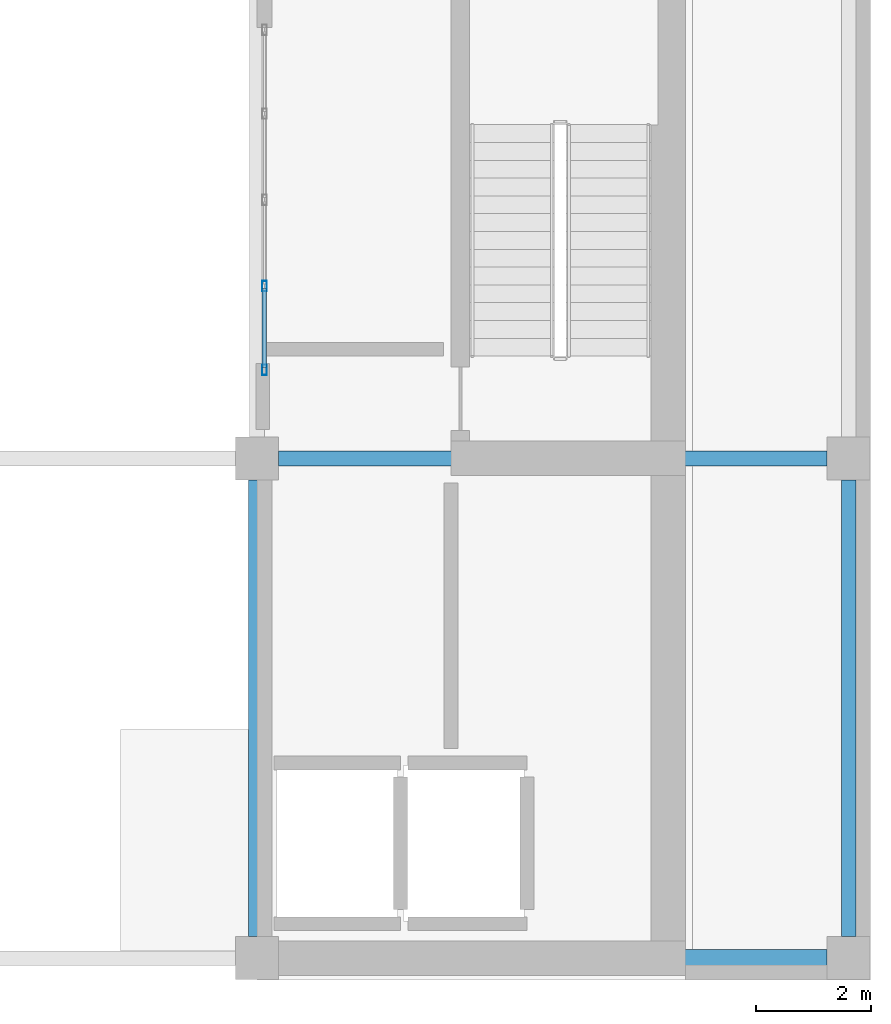
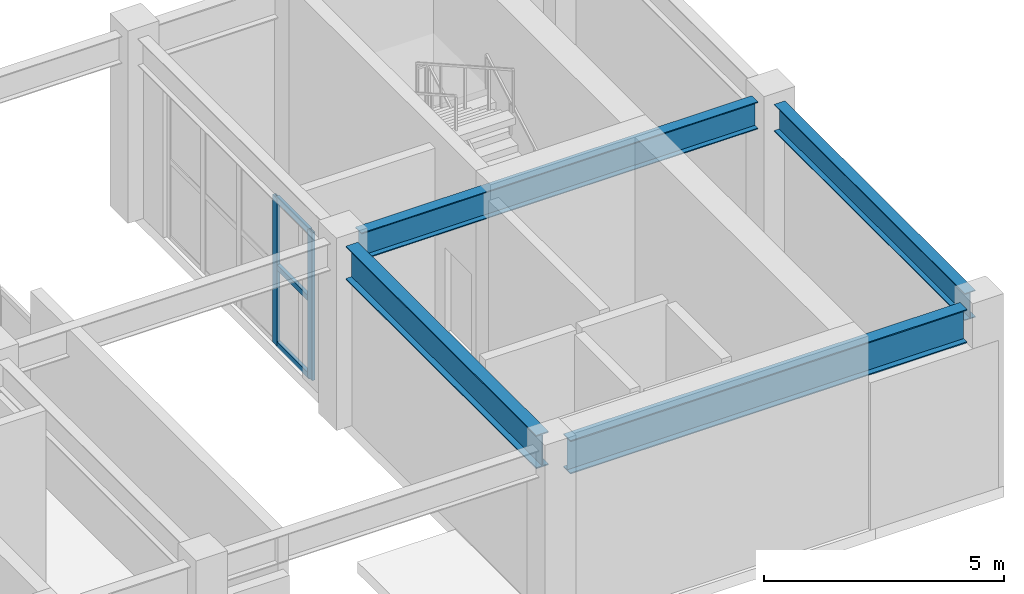
# One storey, part 5 of 11: 5 members, 4 beams, 1 element without a shape of its own.
"""IFC4 building model written with IfcOpenShell, lengths in metres."""

from ifc_helpers import new_model, si_unit, direction, frame, origin, origin_2d, place, context, subcontext, project, spatial, hollow_rectangle, i_section, extrude, material, layer, layer_set, material_profile, profile_set, type_object, element, aggregate, save


model = new_model("IFC4")

# Units and contexts
model_context = context("Model", 3, precision=1e-05, world=origin(), true_north=direction((0.0, 1.0)))
body_context = subcontext(model_context, "Body", "Model", "MODEL_VIEW")
ifc_project = project(units=[si_unit("LENGTHUNIT", "METRE"), si_unit("AREAUNIT", "SQUARE_METRE"), si_unit("VOLUMEUNIT", "CUBIC_METRE"), si_unit("PLANEANGLEUNIT", "RADIAN"), si_unit("MASSUNIT", "GRAM", prefix="KILO")], contexts=[model_context])

# Site, building, storey
site_placement = place(None, origin())
site = spatial("IfcSite", under=ifc_project, at=site_placement, CompositionType="ELEMENT")
building_placement = place(site_placement, origin())
building = spatial("IfcBuilding", under=site, at=building_placement, Name="Solanera Arch Residences", CompositionType="ELEMENT")
storey_placement = place(building_placement, frame((0.0, 0.0, 282.97998046875)))
storey = spatial("IfcBuildingStorey", under=building, at=storey_placement, Name="L81", CompositionType="ELEMENT", Elevation=282.97998046875)

# Curtain wall, members
ifc_material_1 = material(Name="Anodised Aluminium Alloy 6063-T6", Category="aluminium")
ifc_layer = layer(ifc_material_1, 0.179931640625)
ifc_layer_set = layer_set([ifc_layer], Name="Anodised Aluminium Alloy 6063-T6")
curtain_wall_type = type_object("IfcCurtainWallType", Name="CW-6 Split-Top Crown Lantern Curtain Wall", PredefinedType="USERDEFINED", material=ifc_layer_set)
curtain_wall_placement = place(storey_placement, origin())
curtain_wall = element("IfcCurtainWall", 1, at=curtain_wall_placement, inside=storey, type_object=curtain_wall_type, Name="L81 E Crown Cleft Lantern Curtain Wall", ObjectType="CURTAIN_WALL", PredefinedType="USERDEFINED")
ifc_material_2 = material(Name="Anodised Aluminium Alloy 6063-T6", Category="aluminium")
ifc_material_profile_1 = material_profile(ifc_material_2, hollow_rectangle(XDim=0.080078125, YDim=0.179931640625, WallThickness=0.00390625, at=origin_2d()))
ifc_profile_set_1 = profile_set([ifc_material_profile_1], Name="Anodised Aluminium Alloy 6063-T6")
member_type_1 = type_object("IfcMemberType", Name="Curtain Wall Mullion ALU-MUL-80X180", PredefinedType="MULLION", material=ifc_profile_set_1)
member_1_placement = place(storey_placement, frame((29.330078125, 32.239990234375, 0.0), z_axis=(0.0, 0.0, 1.0), x_axis=(-1.0, 0.0, 0.0)))
member_1 = element("IfcMember", 2, at=member_1_placement, type_object=member_type_1, Name="CW-6 mullion 1", PredefinedType="MULLION", context=body_context, shape_type="SweptSolid", body=[
    extrude(hollow_rectangle(XDim=0.080078125, YDim=0.179931640625, WallThickness=0.00390625, at=origin_2d()), origin(), (0.0, 0.0, 1.0), 3.760009765625),
])
member_2_placement = place(storey_placement, frame((29.330078125, 33.699951171875, 0.0), z_axis=(0.0, 0.0, 1.0), x_axis=(-1.0, 0.0, 0.0)))
member_2 = element("IfcMember", 3, at=member_2_placement, type_object=member_type_1, Name="CW-6 mullion 2", PredefinedType="MULLION", context=body_context, shape_type="SweptSolid", body=[
    extrude(hollow_rectangle(XDim=0.080078125, YDim=0.179931640625, WallThickness=0.00390625, at=origin_2d()), origin(), (0.0, 0.0, 1.0), 3.760009765625),
])
ifc_material_3 = material(Name="Anodised Aluminium Alloy 6063-T6", Category="aluminium")
ifc_material_profile_2 = material_profile(ifc_material_3, hollow_rectangle(XDim=0.080078125, YDim=0.139892578125, WallThickness=0.00390625, at=origin_2d()))
ifc_profile_set_2 = profile_set([ifc_material_profile_2], Name="Anodised Aluminium Alloy 6063-T6")
member_type_2 = type_object("IfcMemberType", Name="Curtain Wall Transom ALU-TRN-80X140", PredefinedType="USERDEFINED", material=ifc_profile_set_2)
member_3_placement = place(storey_placement, frame((29.330078125, 32.280029296875, 0.0400390625), z_axis=(0.0, 1.0, 0.0), x_axis=(-1.0, 0.0, 0.0)))
member_3 = element("IfcMember", 4, at=member_3_placement, type_object=member_type_2, Name="CW-6 transom 1.1", ObjectType="TRANSOM", PredefinedType="USERDEFINED", context=body_context, shape_type="SweptSolid", body=[
    extrude(hollow_rectangle(XDim=0.080078125, YDim=0.139892578125, WallThickness=0.00390625, at=origin_2d()), origin(), (0.0, 0.0, 1.0), 1.3798828125),
])
member_4_placement = place(storey_placement, frame((29.330078125, 32.280029296875, 2.0), z_axis=(0.0, 1.0, 0.0), x_axis=(-1.0, 0.0, 0.0)))
member_4 = element("IfcMember", 5, at=member_4_placement, type_object=member_type_2, Name="CW-6 transom 1.2", ObjectType="TRANSOM", PredefinedType="USERDEFINED", context=body_context, shape_type="SweptSolid", body=[
    extrude(hollow_rectangle(XDim=0.080078125, YDim=0.139892578125, WallThickness=0.00390625, at=origin_2d()), origin(), (0.0, 0.0, 1.0), 1.3798828125),
])
member_5_placement = place(storey_placement, frame((29.330078125, 32.280029296875, 3.719970703125), z_axis=(0.0, 1.0, 0.0), x_axis=(-1.0, 0.0, 0.0)))
member_5 = element("IfcMember", 6, at=member_5_placement, type_object=member_type_2, Name="CW-6 transom 1.3", ObjectType="TRANSOM", PredefinedType="USERDEFINED", context=body_context, shape_type="SweptSolid", body=[
    extrude(hollow_rectangle(XDim=0.080078125, YDim=0.139892578125, WallThickness=0.00390625, at=origin_2d()), origin(), (0.0, 0.0, 1.0), 1.3798828125),
])
aggregate(curtain_wall, [member_1, member_2, member_3, member_4, member_5])

# Beams
ifc_material_4 = material(Name="Steel S355 (ASTM A992 / A572 Grade 50)", Category="steel")
ifc_material_profile_3 = material_profile(ifc_material_4, i_section(OverallWidth=0.256103515625, OverallDepth=0.693115234375, WebThickness=0.014404296875, FlangeThickness=0.023681640625, at=origin_2d()))
ifc_profile_set_3 = profile_set([ifc_material_profile_3], Name="Steel S355 (ASTM A992 / A572 Grade 50)")
beam_type_1 = type_object("IfcBeamType", Name="Primary Beam W690X170", PredefinedType="BEAM", material=ifc_profile_set_3)
beam_1_placement = place(storey_placement, frame((29.574951171875, 30.699951171875, 4.27392578125), z_axis=(1.0, 0.0, 0.0), x_axis=(0.0, 1.0, 0.0)))
element("IfcBeam", 7, at=beam_1_placement, inside=storey, type_object=beam_type_1, Name="BM-L81-CR-EM", PredefinedType="BEAM", context=body_context, shape_type="SweptSolid", body=[
    extrude(i_section(OverallWidth=0.256103515625, OverallDepth=0.693115234375, WebThickness=0.014404296875, FlangeThickness=0.023681640625, at=origin_2d()), origin(), (0.0, 0.0, 1.0), 9.550048828125),
])
beam_2_placement = place(storey_placement, frame((39.5, 22.375, 4.27392578125), z_axis=(0.0, 1.0, 0.0), x_axis=(-1.0, 0.0, 0.0)))
element("IfcBeam", 8, at=beam_2_placement, inside=storey, type_object=beam_type_1, Name="BM-L81-CR-E3", PredefinedType="BEAM", context=body_context, shape_type="SweptSolid", body=[
    extrude(i_section(OverallWidth=0.256103515625, OverallDepth=0.693115234375, WebThickness=0.014404296875, FlangeThickness=0.023681640625, at=origin_2d()), origin(), (0.0, 0.0, 1.0), 7.949951171875),
])
ifc_material_5 = material(Name="Steel S355 (ASTM A992 / A572 Grade 50)", Category="steel")
ifc_material_profile_4 = material_profile(ifc_material_5, i_section(OverallWidth=0.2939453125, OverallDepth=0.85107421875, WebThickness=0.01611328125, FlangeThickness=0.02685546875, at=origin_2d()))
ifc_profile_set_4 = profile_set([ifc_material_profile_4], Name="Steel S355 (ASTM A992 / A572 Grade 50)")
beam_type_2 = type_object("IfcBeamType", Name="Primary Beam W840X226", PredefinedType="BEAM", material=ifc_profile_set_4)
beam_3_placement = place(storey_placement, frame((29.574951171875, 22.0, 4.195068359375), z_axis=(1.0, 0.0, 0.0), x_axis=(0.0, 1.0, 0.0)))
element("IfcBeam", 9, at=beam_3_placement, inside=storey, type_object=beam_type_2, Name="BM-L81-CR-ES", PredefinedType="BEAM", context=body_context, shape_type="SweptSolid", body=[
    extrude(i_section(OverallWidth=0.2939453125, OverallDepth=0.85107421875, WebThickness=0.01611328125, FlangeThickness=0.02685546875, at=origin_2d()), origin(), (0.0, 0.0, 1.0), 9.550048828125),
])
beam_4_placement = place(storey_placement, frame((29.199951171875, 22.375, 4.195068359375), z_axis=(0.0, 1.0, 0.0), x_axis=(-1.0, 0.0, 0.0)))
element("IfcBeam", 10, at=beam_4_placement, inside=storey, type_object=beam_type_2, Name="BM-L81-CR-E1", PredefinedType="BEAM", context=body_context, shape_type="SweptSolid", body=[
    extrude(i_section(OverallWidth=0.2939453125, OverallDepth=0.85107421875, WebThickness=0.01611328125, FlangeThickness=0.02685546875, at=origin_2d()), origin(), (0.0, 0.0, 1.0), 7.949951171875),
])

save(model, "model.ifc")
